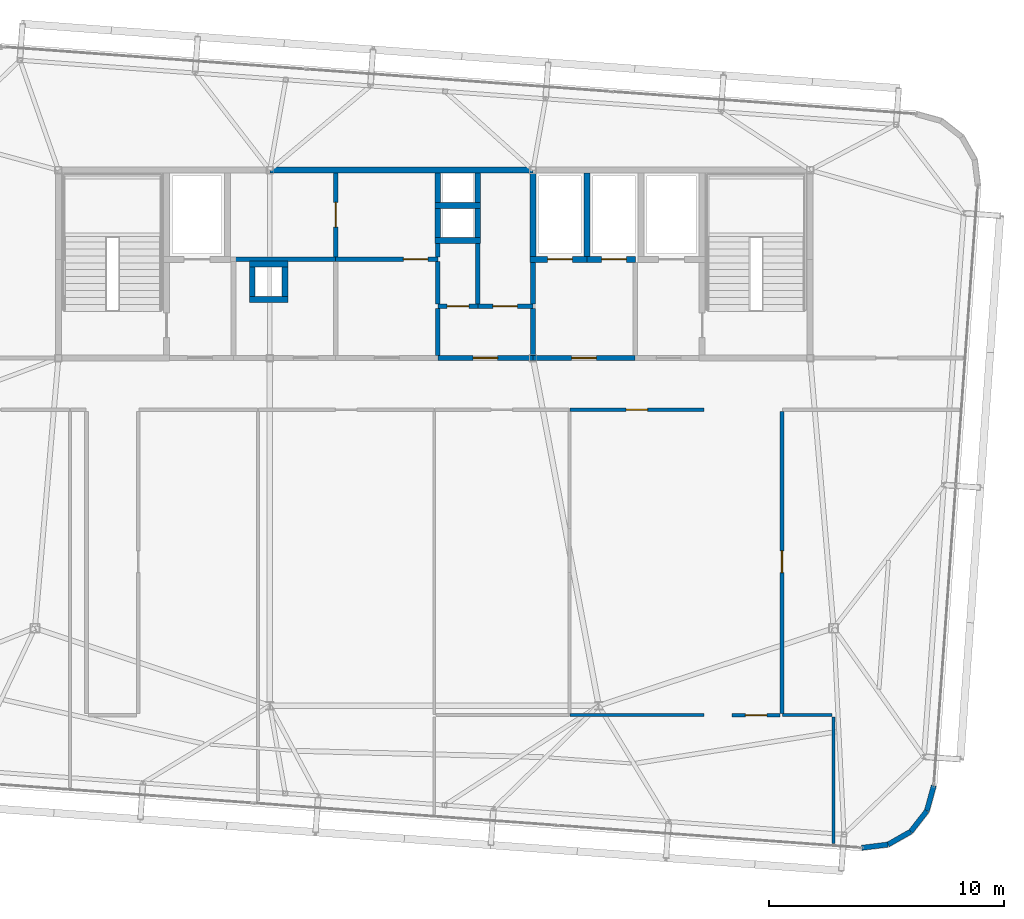
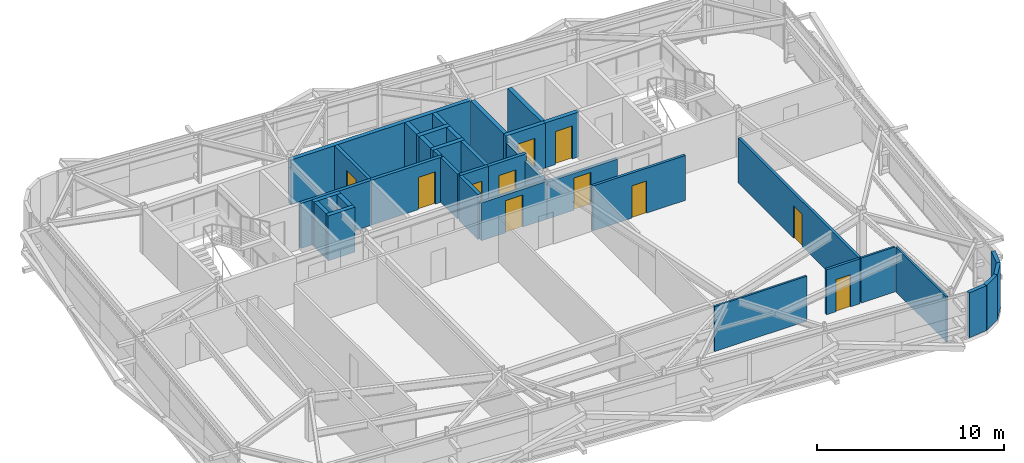
# One storey, part 32 of 34: 38 walls, 11 doors, 11 openings.
"""IFC4 building model written with IfcOpenShell, lengths in metres."""

from ifc_helpers import new_model, si_unit, direction, frame, frame_2d, origin, place, context, subcontext, project, spatial, rectangle, extrude, source, transform, mapped, material, layer, layer_set, type_object, element, fill, save


model = new_model("IFC4")

# Units and contexts
model_context = context("Model", 3, precision=1e-05, world=origin(), true_north=direction((0.0, 1.0)))
body_context = subcontext(model_context, "Body", "Model", "MODEL_VIEW")
ifc_project = project(units=[si_unit("LENGTHUNIT", "METRE"), si_unit("AREAUNIT", "SQUARE_METRE"), si_unit("VOLUMEUNIT", "CUBIC_METRE"), si_unit("PLANEANGLEUNIT", "RADIAN"), si_unit("MASSUNIT", "GRAM", prefix="KILO")], contexts=[model_context])

# Site, building, storey
site_placement = place(None, origin())
site = spatial("IfcSite", under=ifc_project, at=site_placement, CompositionType="ELEMENT")
building_placement = place(site_placement, origin())
building = spatial("IfcBuilding", under=site, at=building_placement, Name="Taldren Reach Tower", CompositionType="ELEMENT")
storey_placement = place(building_placement, frame((0.0, 0.0, 246.050048828125)))
storey = spatial("IfcBuildingStorey", under=building, at=storey_placement, Name="L75", CompositionType="ELEMENT", Elevation=246.050048828125)

# Walls
ifc_material_1 = material(Name="Pale Champagne Anodised Aluminium Cladding", Category="aluminium")
ifc_layer_1 = layer(ifc_material_1, 0.04, Name="Pale Champagne Anodised Aluminium Cladding", Category="aluminium")
ifc_material_2 = material(Name="Mineral Wool Acoustic Insulation", Category="insulation")
ifc_layer_2 = layer(ifc_material_2, 0.06, Name="Mineral Wool Acoustic Insulation", Category="insulation")
ifc_material_3 = material(Name="Steel Gr 350 (C350L0)", Category="steel")
ifc_layer_3 = layer(ifc_material_3, 0.12, Name="Steel Gr 350 (C350L0)", Category="steel")
ifc_layer_set_1 = layer_set([ifc_layer_1, ifc_layer_2, ifc_layer_3], Name="Pale Champagne Aluminium Cladding and Steel Gr 350 Stud Framing")
wall_type_1 = type_object("IfcWallType", Name="EW-CRN-220", PredefinedType="SOLIDWALL", material=ifc_layer_set_1)
shared_shape_1 = source(origin(), body_context, "Body", "SweptSolid", [
    extrude(rectangle(XDim=1.115966796875, YDim=0.219970703125, at=frame_2d((0.55810546875, 0.0))), origin(), (0.0, 0.0, 1.0), 2.929931640625),
])
for number, where, z_axis, x_axis, name in (
    (1, (53.20068359375, 3.15380859375, 0.0), (0.0, 0.0, 1.0), (0.992438604032, 0.122742076028, 0.0), "Rounded-corner pale-metal facade wall L75-SE1"),
    (2, (55.279052734375, 3.84130859375, 0.0), (0.0, 0.0, 1.0), (0.615015475096, 0.788515038152, 0.0), "Rounded-corner pale-metal facade wall L75-SE3"),
    (3, (55.96533203125, 4.72119140625, 0.0), (0.0, 0.0, 1.0), (0.26624444942, 0.963905541613, 0.0), "Rounded-corner pale-metal facade wall L75-SE4"),
):
    element("IfcWall", number, at=place(storey_placement, frame(where, z_axis=z_axis, x_axis=x_axis)), inside=storey, type_object=wall_type_1, Name=name, PredefinedType="SOLIDWALL", context=body_context, shape_type="MappedRepresentation", body=[
        mapped(shared_shape_1, transform((0.0, 0.0, 0.0), scale=1.0)),
    ])
shared_shape_2 = source(origin(), body_context, "Body", "SweptSolid", [
    extrude(rectangle(XDim=1.1162109375, YDim=0.219970703125, at=frame_2d((0.55810546875, 0.0))), origin(), (0.0, 0.0, 1.0), 2.929931640625),
])
wall_1_placement = place(storey_placement, frame((54.30810546875, 3.290771484375, 0.0), z_axis=(0.0, 0.0, 1.0), x_axis=(0.869893934693, 0.49323882895, 0.0)))
element("IfcWall", 4, at=wall_1_placement, inside=storey, type_object=wall_type_1, Name="Rounded-corner pale-metal facade wall L75-SE2", PredefinedType="SOLIDWALL", context=body_context, shape_type="MappedRepresentation", body=[
    mapped(shared_shape_2, transform((0.0, 0.0, 0.0), scale=1.0)),
])

# Wall, opening, door
ifc_material_4 = material(Name="Concrete S50 (50 MPa)", Category="concrete")
ifc_layer_4 = layer(ifc_material_4, 0.199951171875)
ifc_layer_set_2 = layer_set([ifc_layer_4], Name="Concrete S50 (50 MPa)")
wall_type_2 = type_object("IfcWallType", Name="IW-CORE-200", PredefinedType="SOLIDWALL", material=ifc_layer_set_2)
shared_shape_3 = source(origin(), body_context, "Body", "SweptSolid", [
    extrude(rectangle(XDim=4.35009765625, YDim=0.199951171875, at=frame_2d((2.175048828125, 0.0))), origin(), (0.0, 0.0, 1.0), 2.39697265625),
])
wall_2_placement = place(storey_placement, frame((43.550048828125, 24.0, 0.0), z_axis=(0.0, 0.0, 1.0), x_axis=(-1.0, 0.0, 0.0)))
wall_2 = element("IfcWall", 5, at=wall_2_placement, inside=storey, type_object=wall_type_2, Name="Rear Core Shear Wall W-INT-L75-031", PredefinedType="SOLIDWALL", context=body_context, shape_type="MappedRepresentation", body=[
    mapped(shared_shape_3, transform((0.0, 0.0, 0.0), scale=1.0)),
])
shared_shape_4 = source(origin(), body_context, "Body", "SweptSolid", [
    extrude(rectangle(XDim=1.050048828125, YDim=2.10009765625, at=frame_2d((0.52490234375, 1.050048828125))), frame((0.0, 0.10986328125, 0.0), z_axis=(0.0, -1.0, 0.0), x_axis=(1.0, 0.0, 0.0)), (0.0, 0.0, 1.0), 0.219970703125),
])
opening_1_placement = place(wall_2_placement, frame((1.64990234375, 0.0, 0.0)))
opening_1 = element("IfcOpeningElement", 6, at=opening_1_placement, cuts=wall_2, Name="Opening DF-105", PredefinedType="OPENING", context=body_context, shape_type="MappedRepresentation", body=[
    mapped(shared_shape_4, transform((0.0, 0.0, 0.0), scale=1.0)),
])
ifc_material_5 = material(Name="Fire-Rated Care and Stair Exit Door")
door_type_1 = type_object("IfcDoorType", Name="ID-FIRE-105", OperationType="NOTDEFINED", PredefinedType="DOOR", material=ifc_material_5)
shared_shape_5 = source(origin(), body_context, "Body", "SweptSolid", [
    extrude(rectangle(XDim=1.050048828125, YDim=2.10009765625, at=frame_2d((0.52490234375, 1.050048828125))), frame((0.0, 0.02490234375, 0.0), z_axis=(0.0, -1.0, 0.0), x_axis=(1.0, 0.0, 0.0)), (0.0, 0.0, 1.0), 0.050048828125),
])
door_1_placement = place(opening_1_placement, frame((1.050048828125, 0.0, 0.0), z_axis=(0.0, 0.0, 1.0), x_axis=(-1.0, 0.0, 0.0)))
door_1 = element("IfcDoor", 7, at=door_1_placement, inside=storey, type_object=door_type_1, Name="Interior Door DR-L75-005", OperationType="SINGLE_SWING_LEFT", OverallHeight=2.10009765625, OverallWidth=1.050048828125, PredefinedType="DOOR", context=body_context, shape_type="MappedRepresentation", body=[
    mapped(shared_shape_5, transform((0.0, 0.0, 0.0), scale=1.0)),
])
fill(opening_1, door_1)

# Wall
shared_shape_6 = source(origin(), body_context, "Body", "SweptSolid", [
    extrude(rectangle(XDim=2.0, YDim=0.199951171875, at=frame_2d((1.0, 0.0))), origin(), (0.0, 0.0, 1.0), 2.469970703125),
])
wall_3_placement = place(storey_placement, frame((39.199951171875, 24.10009765625, 0.0), z_axis=(0.0, 0.0, 1.0), x_axis=(0.0, 1.0, 0.0)))
element("IfcWall", 8, at=wall_3_placement, inside=storey, type_object=wall_type_2, Name="Rear Core Shear Wall W-INT-L75-029", PredefinedType="SOLIDWALL", context=body_context, shape_type="MappedRepresentation", body=[
    mapped(shared_shape_6, transform((0.0, 0.0, 0.0), scale=1.0)),
])

# Wall, opening, door
ifc_material_6 = material(Name="Fire-Rated Acoustic Plasterboard Stud Wall", Category="gypsum")
ifc_layer_5 = layer(ifc_material_6, 0.159912109375)
ifc_layer_set_3 = layer_set([ifc_layer_5], Name="Fire-Rated Acoustic Plasterboard Stud Wall")
wall_type_3 = type_object("IfcWallType", Name="IW-FIRE-160", PredefinedType="PARTITIONING", material=ifc_layer_set_3)
shared_shape_7 = source(origin(), body_context, "Body", "SweptSolid", [
    extrude(rectangle(XDim=2.0400390625, YDim=0.159912109375, at=frame_2d((1.02001953125, 0.0))), origin(), (0.0, 0.0, 1.0), 2.929931640625),
])
wall_4_placement = place(storey_placement, frame((49.719970703125, 8.800048828125, 0.0), z_axis=(0.0, 0.0, 1.0), x_axis=(-1.0, 0.0, 0.0)))
wall_4 = element("IfcWall", 9, at=wall_4_placement, inside=storey, type_object=wall_type_3, Name="Interior Partition Wall W-INT-L75-045", PredefinedType="PARTITIONING", context=body_context, shape_type="MappedRepresentation", body=[
    mapped(shared_shape_7, transform((0.0, 0.0, 0.0), scale=1.0)),
])
shared_shape_8 = source(origin(), body_context, "Body", "SweptSolid", [
    extrude(rectangle(XDim=0.919921875, YDim=2.10009765625, at=frame_2d((0.4599609375, 1.050048828125))), frame((0.0, 0.08984375, 0.0), z_axis=(0.0, -1.0, 0.0), x_axis=(1.0, 0.0, 0.0)), (0.0, 0.0, 1.0), 0.179931640625),
])
opening_2_placement = place(wall_4_placement, frame((0.56005859375, 0.0, 0.0)))
opening_2 = element("IfcOpeningElement", 10, at=opening_2_placement, cuts=wall_4, Name="Opening DI-092", PredefinedType="OPENING", context=body_context, shape_type="MappedRepresentation", body=[
    mapped(shared_shape_8, transform((0.0, 0.0, 0.0), scale=1.0)),
])
ifc_material_7 = material(Name="Solid-Core Timber Suite Door", Category="wood")
door_type_2 = type_object("IfcDoorType", Name="ID-INT-092", OperationType="NOTDEFINED", PredefinedType="DOOR", material=ifc_material_7)
shared_shape_9 = source(origin(), body_context, "Body", "SweptSolid", [
    extrude(rectangle(XDim=0.919921875, YDim=2.10009765625, at=frame_2d((0.4599609375, 1.050048828125))), frame((0.0, 0.02490234375, 0.0), z_axis=(0.0, -1.0, 0.0), x_axis=(1.0, 0.0, 0.0)), (0.0, 0.0, 1.0), 0.050048828125),
])
door_2_placement = place(opening_2_placement, origin())
door_2 = element("IfcDoor", 11, at=door_2_placement, inside=storey, type_object=door_type_2, Name="Interior Door DR-L75-013", OperationType="SINGLE_SWING_RIGHT", OverallHeight=2.10009765625, OverallWidth=0.919921875, PredefinedType="DOOR", context=body_context, shape_type="MappedRepresentation", body=[
    mapped(shared_shape_9, transform((0.0, 0.0, 0.0), scale=1.0)),
])
fill(opening_2, door_2)

# Walls
shared_shape_10 = source(origin(), body_context, "Body", "SweptSolid", [
    extrude(rectangle(XDim=2.0, YDim=0.199951171875, at=frame_2d((1.0, 0.0))), origin(), (0.0, 0.0, 1.0), 2.929931640625),
])
wall_5_placement = place(storey_placement, frame((35.14990234375, 26.10009765625, 0.0), z_axis=(0.0, 0.0, 1.0), x_axis=(0.0, -1.0, 0.0)))
element("IfcWall", 12, at=wall_5_placement, inside=storey, type_object=wall_type_2, Name="Rear Core Shear Wall W-INT-L75-037", PredefinedType="SOLIDWALL", context=body_context, shape_type="MappedRepresentation", body=[
    mapped(shared_shape_10, transform((0.0, 0.0, 0.0), scale=1.0)),
])
shared_shape_11 = source(origin(), body_context, "Body", "SweptSolid", [
    extrude(rectangle(XDim=4.35009765625, YDim=0.199951171875, at=frame_2d((2.175048828125, 0.0))), origin(), (0.0, 0.0, 1.0), 2.929931640625),
])
wall_6_placement = place(storey_placement, frame((26.449951171875, 28.199951171875, 0.0), z_axis=(0.0, 0.0, 1.0), x_axis=(1.0, 0.0, 0.0)))
element("IfcWall", 13, at=wall_6_placement, inside=storey, type_object=wall_type_2, Name="Rear Core Shear Wall W-INT-L75-032", PredefinedType="SOLIDWALL", context=body_context, shape_type="MappedRepresentation", body=[
    mapped(shared_shape_11, transform((0.0, 0.0, 0.0), scale=1.0)),
])
ifc_material_8 = material(Name="Concrete S65 (65 MPa)", Category="concrete")
ifc_layer_6 = layer(ifc_material_8, 0.25)
ifc_layer_set_4 = layer_set([ifc_layer_6], Name="Concrete S65 (65 MPa)")
wall_type_4 = type_object("IfcWallType", Name="IW-CORE-250", PredefinedType="SHEAR", material=ifc_layer_set_4)
shared_shape_12 = source(origin(), body_context, "Body", "SweptSolid", [
    extrude(rectangle(XDim=11.199951171875, YDim=0.25, at=frame_2d((5.60009765625, 0.0))), origin(), (0.0, 0.0, 1.0), 2.929931640625),
])
wall_7_placement = place(storey_placement, frame((28.0, 32.0, 0.0), z_axis=(0.0, 0.0, 1.0), x_axis=(1.0, 0.0, 0.0)))
element("IfcWall", 14, at=wall_7_placement, inside=storey, type_object=wall_type_4, Name="Rear Core Shear Wall W-CORE-L75-NORTH2", PredefinedType="SHEAR", context=body_context, shape_type="MappedRepresentation", body=[
    mapped(shared_shape_12, transform((0.0, 0.0, 0.0), scale=1.0)),
])
shared_shape_13 = source(origin(), body_context, "Body", "SweptSolid", [
    extrude(rectangle(XDim=3.550048828125, YDim=0.25, at=frame_2d((1.77490234375, 0.0))), origin(), (0.0, 0.0, 1.0), 2.929931640625),
])
for number, where, z_axis, x_axis, name in (
    (15, (41.5, 28.324951171875, 0.0), (0.0, 0.0, 1.0), (0.0, 1.0, 0.0), "Rear Core Shear Wall W-INT-L75-025"),
    (16, (39.199951171875, 31.875, 0.0), (0.0, 0.0, 1.0), (0.0, -1.0, 0.0), "Rear Core Shear Wall W-INT-L75-027"),
):
    element("IfcWall", number, at=place(storey_placement, frame(where, z_axis=z_axis, x_axis=x_axis)), inside=storey, type_object=wall_type_4, Name=name, PredefinedType="SHEAR", context=body_context, shape_type="MappedRepresentation", body=[
        mapped(shared_shape_13, transform((0.0, 0.0, 0.0), scale=1.0)),
    ])
shared_shape_14 = source(origin(), body_context, "Body", "SweptSolid", [
    extrude(rectangle(XDim=1.9501953125, YDim=0.25, at=frame_2d((0.97509765625, 0.0))), origin(), (0.0, 0.0, 1.0), 2.929931640625),
])
for number, where, z_axis, x_axis, name in (
    (17, (35.02490234375, 30.5, 0.0), (0.0, 0.0, 1.0), (1.0, 0.0, 0.0), "Rear Core Shear Wall W-INT-L75-015"),
    (18, (35.02490234375, 29.0, 0.0), (0.0, 0.0, 1.0), (1.0, 0.0, 0.0), "Rear Core Shear Wall W-INT-L75-019"),
):
    element("IfcWall", number, at=place(storey_placement, frame(where, z_axis=z_axis, x_axis=x_axis)), inside=storey, type_object=wall_type_4, Name=name, PredefinedType="SHEAR", context=body_context, shape_type="MappedRepresentation", body=[
        mapped(shared_shape_14, transform((0.0, 0.0, 0.0), scale=1.0)),
    ])
shared_shape_15 = source(origin(), body_context, "Body", "SweptSolid", [
    extrude(rectangle(XDim=1.25, YDim=0.25, at=frame_2d((0.625, 0.0))), origin(), (0.0, 0.0, 1.0), 2.929931640625),
])
for number, where, z_axis, x_axis, name in (
    (19, (35.14990234375, 31.875, 0.0), (0.0, 0.0, 1.0), (0.0, -1.0, 0.0), "Rear Core Shear Wall W-INT-L75-016"),
    (20, (36.85009765625, 30.625, 0.0), (0.0, 0.0, 1.0), (0.0, 1.0, 0.0), "Rear Core Shear Wall W-INT-L75-017"),
    (21, (35.14990234375, 30.375, 0.0), (0.0, 0.0, 1.0), (0.0, -1.0, 0.0), "Rear Core Shear Wall W-INT-L75-018"),
    (22, (36.85009765625, 29.125, 0.0), (0.0, 0.0, 1.0), (0.0, 1.0, 0.0), "Rear Core Shear Wall W-INT-L75-020"),
    (23, (28.64990234375, 26.625, 0.0), (0.0, 0.0, 1.0), (0.0, 1.0, 0.0), "Rear Core Shear Wall W-INT-L75-021"),
    (24, (27.25, 27.875, 0.0), (0.0, 0.0, 1.0), (0.0, -1.0, 0.0), "Rear Core Shear Wall W-INT-L75-022"),
):
    element("IfcWall", number, at=place(storey_placement, frame(where, z_axis=z_axis, x_axis=x_axis)), inside=storey, type_object=wall_type_4, Name=name, PredefinedType="SHEAR", context=body_context, shape_type="MappedRepresentation", body=[
        mapped(shared_shape_15, transform((0.0, 0.0, 0.0), scale=1.0)),
    ])
shared_shape_16 = source(origin(), body_context, "Body", "SweptSolid", [
    extrude(rectangle(XDim=1.64990234375, YDim=0.25, at=frame_2d((0.824951171875, 0.0))), origin(), (0.0, 0.0, 1.0), 2.929931640625),
])
for number, where, z_axis, x_axis, name in (
    (25, (28.77490234375, 28.0, 0.0), (0.0, 0.0, 1.0), (-1.0, 0.0, 0.0), "Rear Core Shear Wall W-INT-L75-023"),
    (26, (27.125, 26.5, 0.0), (0.0, 0.0, 1.0), (1.0, 0.0, 0.0), "Rear Core Shear Wall W-INT-L75-024"),
):
    element("IfcWall", number, at=place(storey_placement, frame(where, z_axis=z_axis, x_axis=x_axis)), inside=storey, type_object=wall_type_4, Name=name, PredefinedType="SHEAR", context=body_context, shape_type="MappedRepresentation", body=[
        mapped(shared_shape_16, transform((0.0, 0.0, 0.0), scale=1.0)),
    ])

# Wall, opening, door
shared_shape_17 = source(origin(), body_context, "Body", "SweptSolid", [
    extrude(rectangle(XDim=2.425048828125, YDim=0.25, at=frame_2d((1.21240234375, 0.0))), origin(), (0.0, 0.0, 1.0), 2.929931640625),
])
wall_8_placement = place(storey_placement, frame((39.074951171875, 28.199951171875, 0.0), z_axis=(0.0, 0.0, 1.0), x_axis=(1.0, 0.0, 0.0)))
wall_8 = element("IfcWall", 27, at=wall_8_placement, inside=storey, type_object=wall_type_4, Name="Rear Core Shear Wall W-INT-L75-026", PredefinedType="SHEAR", context=body_context, shape_type="MappedRepresentation", body=[
    mapped(shared_shape_17, transform((0.0, 0.0, 0.0), scale=1.0)),
])
shared_shape_18 = source(origin(), body_context, "Body", "SweptSolid", [
    extrude(rectangle(XDim=1.050048828125, YDim=2.14990234375, at=frame_2d((0.52490234375, 1.074951171875))), frame((0.0, 0.135009765625, 0.0), z_axis=(0.0, -1.0, 0.0), x_axis=(1.0, 0.0, 0.0)), (0.0, 0.0, 1.0), 0.27001953125),
])
opening_3_placement = place(wall_8_placement, frame((0.75, 0.0, 0.0)))
opening_3 = element("IfcOpeningElement", 28, at=opening_3_placement, cuts=wall_8, Name="Opening LD-PH1", PredefinedType="OPENING", context=body_context, shape_type="MappedRepresentation", body=[
    mapped(shared_shape_18, transform((0.0, 0.0, 0.0), scale=1.0)),
])
ifc_material_9 = material(Name="Stainless Steel Gr 316 Passenger Lift Landing Door", Category="steel")
door_type_3 = type_object("IfcDoorType", Name="LD-PAS-105", OperationType="SLIDING_TO_LEFT", PredefinedType="DOOR", material=ifc_material_9)
shared_shape_19 = source(origin(), body_context, "Body", "SweptSolid", [
    extrude(rectangle(XDim=1.050048828125, YDim=2.14990234375, at=frame_2d((0.52490234375, 1.074951171875))), frame((0.0, 0.02490234375, 0.0), z_axis=(0.0, -1.0, 0.0), x_axis=(1.0, 0.0, 0.0)), (0.0, 0.0, 1.0), 0.050048828125),
])
door_3_placement = place(opening_3_placement, origin())
door_3 = element("IfcDoor", 29, at=door_3_placement, inside=storey, type_object=door_type_3, Name="Lift Landing Door LD-PH1-L75", OperationType="SLIDING_TO_LEFT", OverallHeight=2.14990234375, OverallWidth=1.050048828125, PredefinedType="DOOR", context=body_context, shape_type="MappedRepresentation", body=[
    mapped(shared_shape_19, transform((0.0, 0.0, 0.0), scale=1.0)),
])
fill(opening_3, door_3)

shared_shape_20 = source(origin(), body_context, "Body", "SweptSolid", [
    extrude(rectangle(XDim=2.070068359375, YDim=0.25, at=frame_2d((1.03515625, 0.0))), origin(), (0.0, 0.0, 1.0), 2.929931640625),
])
wall_9_placement = place(storey_placement, frame((41.5, 28.199951171875, 0.0), z_axis=(0.0, 0.0, 1.0), x_axis=(1.0, 0.0, 0.0)))
wall_9 = element("IfcWall", 30, at=wall_9_placement, inside=storey, type_object=wall_type_4, Name="Rear Core Shear Wall W-INT-L75-028", PredefinedType="SHEAR", context=body_context, shape_type="MappedRepresentation", body=[
    mapped(shared_shape_20, transform((0.0, 0.0, 0.0), scale=1.0)),
])
opening_4_placement = place(wall_9_placement, frame((0.625, 0.0, 0.0)))
opening_4 = element("IfcOpeningElement", 31, at=opening_4_placement, cuts=wall_9, Name="Opening LD-PH2", PredefinedType="OPENING", context=body_context, shape_type="MappedRepresentation", body=[
    mapped(shared_shape_18, transform((0.0, 0.0, 0.0), scale=1.0)),
])
door_4_placement = place(opening_4_placement, origin())
door_4 = element("IfcDoor", 32, at=door_4_placement, inside=storey, type_object=door_type_3, Name="Lift Landing Door LD-PH2-L75", OperationType="SLIDING_TO_LEFT", OverallHeight=2.14990234375, OverallWidth=1.050048828125, PredefinedType="DOOR", context=body_context, shape_type="MappedRepresentation", body=[
    mapped(shared_shape_19, transform((0.0, 0.0, 0.0), scale=1.0)),
])
fill(opening_4, door_4)

shared_shape_21 = source(origin(), body_context, "Body", "SweptSolid", [
    extrude(rectangle(XDim=4.050048828125, YDim=0.199951171875, at=frame_2d((2.02490234375, 0.0))), origin(), (0.0, 0.0, 1.0), 2.469970703125),
])
wall_10_placement = place(storey_placement, frame((39.199951171875, 24.0, 0.0), z_axis=(0.0, 0.0, 1.0), x_axis=(-1.0, 0.0, 0.0)))
wall_10 = element("IfcWall", 33, at=wall_10_placement, inside=storey, type_object=wall_type_2, Name="Rear Core Shear Wall W-INT-L75-043", PredefinedType="SOLIDWALL", context=body_context, shape_type="MappedRepresentation", body=[
    mapped(shared_shape_21, transform((0.0, 0.0, 0.0), scale=1.0)),
])
opening_5_placement = place(wall_10_placement, frame((1.5, 0.0, 0.0)))
opening_5 = element("IfcOpeningElement", 34, at=opening_5_placement, cuts=wall_10, Name="Opening DF-105", PredefinedType="OPENING", context=body_context, shape_type="MappedRepresentation", body=[
    mapped(shared_shape_4, transform((0.0, 0.0, 0.0), scale=1.0)),
])
door_5_placement = place(opening_5_placement, frame((1.050048828125, 0.0, 0.0), z_axis=(0.0, 0.0, 1.0), x_axis=(-1.0, 0.0, 0.0)))
door_5 = element("IfcDoor", 35, at=door_5_placement, inside=storey, type_object=door_type_1, Name="Interior Door DR-L75-012", OperationType="SINGLE_SWING_RIGHT", OverallHeight=2.10009765625, OverallWidth=1.050048828125, PredefinedType="DOOR", context=body_context, shape_type="MappedRepresentation", body=[
    mapped(shared_shape_5, transform((0.0, 0.0, 0.0), scale=1.0)),
])
fill(opening_5, door_5)

shared_shape_22 = source(origin(), body_context, "Body", "SweptSolid", [
    extrude(rectangle(XDim=12.840087890625, YDim=0.159912109375, at=frame_2d((6.419921875, 0.0))), origin(), (0.0, 0.0, 1.0), 2.929931640625),
])
wall_11_placement = place(storey_placement, frame((49.800048828125, 21.719970703125, 0.0), z_axis=(0.0, 0.0, 1.0), x_axis=(0.0, -1.0, 0.0)))
wall_11 = element("IfcWall", 36, at=wall_11_placement, inside=storey, type_object=wall_type_3, Name="Interior Partition Wall W-INT-L75-057", PredefinedType="PARTITIONING", context=body_context, shape_type="MappedRepresentation", body=[
    mapped(shared_shape_22, transform((0.0, 0.0, 0.0), scale=1.0)),
])
opening_6_placement = place(wall_11_placement, frame((5.93017578125, 0.0, 0.0)))
opening_6 = element("IfcOpeningElement", 37, at=opening_6_placement, cuts=wall_11, Name="Opening DI-092", PredefinedType="OPENING", context=body_context, shape_type="MappedRepresentation", body=[
    mapped(shared_shape_8, transform((0.0, 0.0, 0.0), scale=1.0)),
])
door_6_placement = place(opening_6_placement, origin())
door_6 = element("IfcDoor", 38, at=door_6_placement, inside=storey, type_object=door_type_2, Name="Interior Door DR-L75-021", OperationType="SINGLE_SWING_RIGHT", OverallHeight=2.10009765625, OverallWidth=0.919921875, PredefinedType="DOOR", context=body_context, shape_type="MappedRepresentation", body=[
    mapped(shared_shape_9, transform((0.0, 0.0, 0.0), scale=1.0)),
])
fill(opening_6, door_6)

# Wall
shared_shape_23 = source(origin(), body_context, "Body", "SweptSolid", [
    extrude(rectangle(XDim=1.77490234375, YDim=0.199951171875, at=frame_2d((0.887451171875, 0.0))), origin(), (0.0, 0.0, 1.0), 2.469970703125),
])
wall_12_placement = place(storey_placement, frame((39.199951171875, 26.300048828125, 0.0), z_axis=(0.0, 0.0, 1.0), x_axis=(0.0, 1.0, 0.0)))
element("IfcWall", 39, at=wall_12_placement, inside=storey, type_object=wall_type_2, Name="Rear Core Shear Wall W-INT-L75-030", PredefinedType="SOLIDWALL", context=body_context, shape_type="MappedRepresentation", body=[
    mapped(shared_shape_23, transform((0.0, 0.0, 0.0), scale=1.0)),
])

# Wall, opening, door
shared_shape_24 = source(origin(), body_context, "Body", "SweptSolid", [
    extrude(rectangle(XDim=3.574951171875, YDim=0.199951171875, at=frame_2d((1.78759765625, 0.0))), origin(), (0.0, 0.0, 1.0), 2.929931640625),
])
wall_13_placement = place(storey_placement, frame((30.800048828125, 31.875, 0.0), z_axis=(0.0, 0.0, 1.0), x_axis=(0.0, -1.0, 0.0)))
wall_13 = element("IfcWall", 40, at=wall_13_placement, inside=storey, type_object=wall_type_2, Name="Rear Core Shear Wall W-INT-L75-035", PredefinedType="SOLIDWALL", context=body_context, shape_type="MappedRepresentation", body=[
    mapped(shared_shape_24, transform((0.0, 0.0, 0.0), scale=1.0)),
])
opening_7_placement = place(wall_13_placement, frame((1.25, 0.0, 0.0)))
opening_7 = element("IfcOpeningElement", 41, at=opening_7_placement, cuts=wall_13, Name="Opening DF-105", PredefinedType="OPENING", context=body_context, shape_type="MappedRepresentation", body=[
    mapped(shared_shape_4, transform((0.0, 0.0, 0.0), scale=1.0)),
])
door_7_placement = place(opening_7_placement, origin())
door_7 = element("IfcDoor", 42, at=door_7_placement, inside=storey, type_object=door_type_1, Name="Interior Door DR-L75-007", OperationType="SINGLE_SWING_RIGHT", OverallHeight=2.10009765625, OverallWidth=1.050048828125, PredefinedType="DOOR", context=body_context, shape_type="MappedRepresentation", body=[
    mapped(shared_shape_5, transform((0.0, 0.0, 0.0), scale=1.0)),
])
fill(opening_7, door_7)

shared_shape_25 = source(origin(), body_context, "Body", "SweptSolid", [
    extrude(rectangle(XDim=4.349853515625, YDim=0.199951171875, at=frame_2d((2.1748046875, 0.0))), origin(), (0.0, 0.0, 1.0), 2.929931640625),
])
wall_14_placement = place(storey_placement, frame((30.800048828125, 28.199951171875, 0.0), z_axis=(0.0, 0.0, 1.0), x_axis=(1.0, 0.0, 0.0)))
wall_14 = element("IfcWall", 43, at=wall_14_placement, inside=storey, type_object=wall_type_2, Name="Rear Core Shear Wall W-INT-L75-036", PredefinedType="SOLIDWALL", context=body_context, shape_type="MappedRepresentation", body=[
    mapped(shared_shape_25, transform((0.0, 0.0, 0.0), scale=1.0)),
])
opening_8_placement = place(wall_14_placement, frame((2.8798828125, 0.0, 0.0)))
opening_8 = element("IfcOpeningElement", 44, at=opening_8_placement, cuts=wall_14, Name="Opening DF-105", PredefinedType="OPENING", context=body_context, shape_type="MappedRepresentation", body=[
    mapped(shared_shape_4, transform((0.0, 0.0, 0.0), scale=1.0)),
])
door_8_placement = place(opening_8_placement, origin())
door_8 = element("IfcDoor", 45, at=door_8_placement, inside=storey, type_object=door_type_1, Name="Interior Door DR-L75-008", OperationType="SINGLE_SWING_RIGHT", OverallHeight=2.10009765625, OverallWidth=1.050048828125, PredefinedType="DOOR", context=body_context, shape_type="MappedRepresentation", body=[
    mapped(shared_shape_5, transform((0.0, 0.0, 0.0), scale=1.0)),
])
fill(opening_8, door_8)

# Walls
shared_shape_26 = source(origin(), body_context, "Body", "SweptSolid", [
    extrude(rectangle(XDim=1.800048828125, YDim=0.199951171875, at=frame_2d((0.89990234375, 0.0))), origin(), (0.0, 0.0, 1.0), 2.929931640625),
])
wall_15_placement = place(storey_placement, frame((35.14990234375, 28.10009765625, 0.0), z_axis=(0.0, 0.0, 1.0), x_axis=(0.0, -1.0, 0.0)))
element("IfcWall", 46, at=wall_15_placement, inside=storey, type_object=wall_type_2, Name="Rear Core Shear Wall W-INT-L75-038", PredefinedType="SOLIDWALL", context=body_context, shape_type="MappedRepresentation", body=[
    mapped(shared_shape_26, transform((0.0, 0.0, 0.0), scale=1.0)),
])
shared_shape_27 = source(origin(), body_context, "Body", "SweptSolid", [
    extrude(rectangle(XDim=0.574951171875, YDim=0.199951171875, at=frame_2d((0.28759765625, 0.0))), origin(), (0.0, 0.0, 1.0), 2.929931640625),
])
wall_16_placement = place(storey_placement, frame((35.14990234375, 28.875, 0.0), z_axis=(0.0, 0.0, 1.0), x_axis=(0.0, -1.0, 0.0)))
element("IfcWall", 47, at=wall_16_placement, inside=storey, type_object=wall_type_2, Name="Rear Core Shear Wall W-INT-L75-040", PredefinedType="SOLIDWALL", context=body_context, shape_type="MappedRepresentation", body=[
    mapped(shared_shape_27, transform((0.0, 0.0, 0.0), scale=1.0)),
])

# Wall, opening, door
shared_shape_28 = source(origin(), body_context, "Body", "SweptSolid", [
    extrude(rectangle(XDim=1.72021484375, YDim=0.199951171875, at=frame_2d((0.860107421875, 0.0))), origin(), (0.0, 0.0, 1.0), 2.929931640625),
])
wall_17_placement = place(storey_placement, frame((35.14990234375, 26.199951171875, 0.0), z_axis=(0.0, 0.0, 1.0), x_axis=(1.0, 0.0, 0.0)))
wall_17 = element("IfcWall", 48, at=wall_17_placement, inside=storey, type_object=wall_type_2, Name="Rear Core Shear Wall W-INT-L75-041", PredefinedType="SOLIDWALL", context=body_context, shape_type="MappedRepresentation", body=[
    mapped(shared_shape_28, transform((0.0, 0.0, 0.0), scale=1.0)),
])
shared_shape_29 = source(origin(), body_context, "Body", "SweptSolid", [
    extrude(rectangle(XDim=0.919921875, YDim=2.10009765625, at=frame_2d((0.4599609375, 1.050048828125))), frame((0.0, 0.10986328125, 0.0), z_axis=(0.0, -1.0, 0.0), x_axis=(1.0, 0.0, 0.0)), (0.0, 0.0, 1.0), 0.219970703125),
])
opening_9_placement = place(wall_17_placement, frame((0.39990234375, 0.0, 0.0)))
opening_9 = element("IfcOpeningElement", 49, at=opening_9_placement, cuts=wall_17, Name="Opening DF-092", PredefinedType="OPENING", context=body_context, shape_type="MappedRepresentation", body=[
    mapped(shared_shape_29, transform((0.0, 0.0, 0.0), scale=1.0)),
])
ifc_material_10 = material(Name="Fire-Rated Apartment Entrance Door")
door_type_4 = type_object("IfcDoorType", Name="ID-FIRE-092", OperationType="NOTDEFINED", PredefinedType="DOOR", material=ifc_material_10)
door_9_placement = place(opening_9_placement, origin())
door_9 = element("IfcDoor", 50, at=door_9_placement, inside=storey, type_object=door_type_4, Name="Interior Door DR-L75-010", OperationType="SINGLE_SWING_LEFT", OverallHeight=2.10009765625, OverallWidth=0.919921875, PredefinedType="DOOR", context=body_context, shape_type="MappedRepresentation", body=[
    mapped(shared_shape_9, transform((0.0, 0.0, 0.0), scale=1.0)),
])
fill(opening_9, door_9)

shared_shape_30 = source(origin(), body_context, "Body", "SweptSolid", [
    extrude(rectangle(XDim=2.369873046875, YDim=0.199951171875, at=frame_2d((1.18505859375, 0.0))), origin(), (0.0, 0.0, 1.0), 2.929931640625),
])
wall_18_placement = place(storey_placement, frame((36.830078125, 26.199951171875, 0.0), z_axis=(0.0, 0.0, 1.0), x_axis=(1.0, 0.0, 0.0)))
wall_18 = element("IfcWall", 51, at=wall_18_placement, inside=storey, type_object=wall_type_2, Name="Rear Core Shear Wall W-INT-L75-042", PredefinedType="SOLIDWALL", context=body_context, shape_type="MappedRepresentation", body=[
    mapped(shared_shape_30, transform((0.0, 0.0, 0.0), scale=1.0)),
])
opening_10_placement = place(wall_18_placement, frame((0.659912109375, 0.0, 0.0)))
opening_10 = element("IfcOpeningElement", 52, at=opening_10_placement, cuts=wall_18, Name="Opening DF-105", PredefinedType="OPENING", context=body_context, shape_type="MappedRepresentation", body=[
    mapped(shared_shape_4, transform((0.0, 0.0, 0.0), scale=1.0)),
])
door_10_placement = place(opening_10_placement, origin())
door_10 = element("IfcDoor", 53, at=door_10_placement, inside=storey, type_object=door_type_1, Name="Interior Door DR-L75-011", OperationType="SINGLE_SWING_RIGHT", OverallHeight=2.10009765625, OverallWidth=1.050048828125, PredefinedType="DOOR", context=body_context, shape_type="MappedRepresentation", body=[
    mapped(shared_shape_5, transform((0.0, 0.0, 0.0), scale=1.0)),
])
fill(opening_10, door_10)

# Walls
shared_shape_31 = source(origin(), body_context, "Body", "SweptSolid", [
    extrude(rectangle(XDim=2.574951171875, YDim=0.199951171875, at=frame_2d((1.28759765625, 0.0))), origin(), (0.0, 0.0, 1.0), 2.929931640625),
])
wall_19_placement = place(storey_placement, frame((36.85009765625, 28.875, 0.0), z_axis=(0.0, 0.0, 1.0), x_axis=(0.0, -1.0, 0.0)))
element("IfcWall", 54, at=wall_19_placement, inside=storey, type_object=wall_type_2, Name="Rear Core Shear Wall W-INT-L75-044", PredefinedType="SOLIDWALL", context=body_context, shape_type="MappedRepresentation", body=[
    mapped(shared_shape_31, transform((0.0, 0.0, 0.0), scale=1.0)),
])
ifc_material_11 = material(Name="Insulated Residential Stud Partition", Category="gypsum")
ifc_layer_7 = layer(ifc_material_11, 0.1201171875)
ifc_layer_set_5 = layer_set([ifc_layer_7], Name="Insulated Residential Stud Partition")
wall_type_5 = type_object("IfcWallType", Name="IW-PART-120", PredefinedType="PARTITIONING", material=ifc_layer_set_5)
shared_shape_32 = source(origin(), body_context, "Body", "SweptSolid", [
    extrude(rectangle(XDim=2.099609375, YDim=0.1201171875, at=frame_2d((1.0498046875, 0.0))), origin(), (0.0, 0.0, 1.0), 2.929931640625),
])
wall_20_placement = place(storey_placement, frame((49.8203125, 8.800048828125, 0.0), z_axis=(0.0, 0.0, 1.0), x_axis=(1.0, 0.0, 0.0)))
element("IfcWall", 55, at=wall_20_placement, inside=storey, type_object=wall_type_5, Name="Interior Partition Wall W-INT-L75-063", PredefinedType="PARTITIONING", context=body_context, shape_type="MappedRepresentation", body=[
    mapped(shared_shape_32, transform((0.0, 0.0, 0.0), scale=1.0)),
])

# Wall, opening, door
shared_shape_33 = source(origin(), body_context, "Body", "SweptSolid", [
    extrude(rectangle(XDim=5.70947265625, YDim=0.159912109375, at=frame_2d((2.854736328125, 0.0))), origin(), (0.0, 0.0, 1.0), 2.929931640625),
])
wall_21_placement = place(storey_placement, frame((46.479736328125, 21.800048828125, 0.0), z_axis=(0.0, 0.0, 1.0), x_axis=(-1.0, 0.0, 0.0)))
wall_21 = element("IfcWall", 56, at=wall_21_placement, inside=storey, type_object=wall_type_3, Name="Interior Partition Wall W-INT-L75-056", PredefinedType="PARTITIONING", context=body_context, shape_type="MappedRepresentation", body=[
    mapped(shared_shape_33, transform((0.0, 0.0, 0.0), scale=1.0)),
])
opening_11_placement = place(wall_21_placement, frame((2.394775390625, 0.0, 0.0)))
opening_11 = element("IfcOpeningElement", 57, at=opening_11_placement, cuts=wall_21, Name="Opening DI-092", PredefinedType="OPENING", context=body_context, shape_type="MappedRepresentation", body=[
    mapped(shared_shape_8, transform((0.0, 0.0, 0.0), scale=1.0)),
])
door_11_placement = place(opening_11_placement, origin())
door_11 = element("IfcDoor", 58, at=door_11_placement, inside=storey, type_object=door_type_2, Name="Interior Door DR-L75-020", OperationType="SINGLE_SWING_LEFT", OverallHeight=2.10009765625, OverallWidth=0.919921875, PredefinedType="DOOR", context=body_context, shape_type="MappedRepresentation", body=[
    mapped(shared_shape_9, transform((0.0, 0.0, 0.0), scale=1.0)),
])
fill(opening_11, door_11)

# Walls
shared_shape_34 = source(origin(), body_context, "Body", "SweptSolid", [
    extrude(rectangle(XDim=5.70947265625, YDim=0.1201171875, at=frame_2d((2.854736328125, 0.0))), origin(), (0.0, 0.0, 1.0), 2.929931640625),
])
wall_22_placement = place(storey_placement, frame((40.770263671875, 8.800048828125, 0.0), z_axis=(0.0, 0.0, 1.0), x_axis=(1.0, 0.0, 0.0)))
element("IfcWall", 59, at=wall_22_placement, inside=storey, type_object=wall_type_5, Name="Interior Partition Wall W-INT-L75-061", PredefinedType="PARTITIONING", context=body_context, shape_type="MappedRepresentation", body=[
    mapped(shared_shape_34, transform((0.0, 0.0, 0.0), scale=1.0)),
])
shared_shape_35 = source(origin(), body_context, "Body", "SweptSolid", [
    extrude(rectangle(XDim=5.3818359375, YDim=0.1201171875, at=frame_2d((2.69091796875, 0.0))), origin(), (0.0, 0.0, 1.0), 2.929931640625),
])
wall_23_placement = place(storey_placement, frame((52.0, 8.719970703125, 0.0), z_axis=(0.0, 0.0, 1.0), x_axis=(0.0, -1.0, 0.0)))
element("IfcWall", 60, at=wall_23_placement, inside=storey, type_object=wall_type_5, Name="Interior Partition Wall W-INT-L75-062", PredefinedType="PARTITIONING", context=body_context, shape_type="MappedRepresentation", body=[
    mapped(shared_shape_35, transform((0.0, 0.0, 0.0), scale=1.0)),
])

save(model, "model.ifc")
